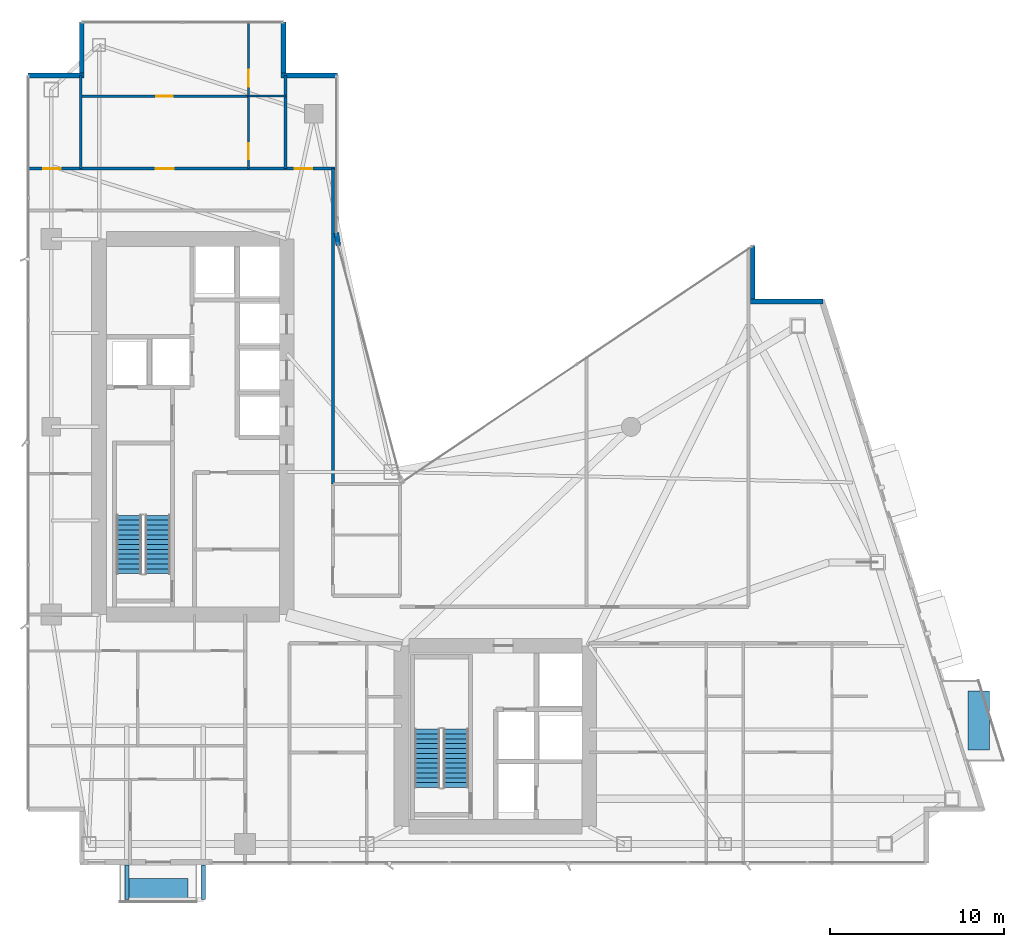
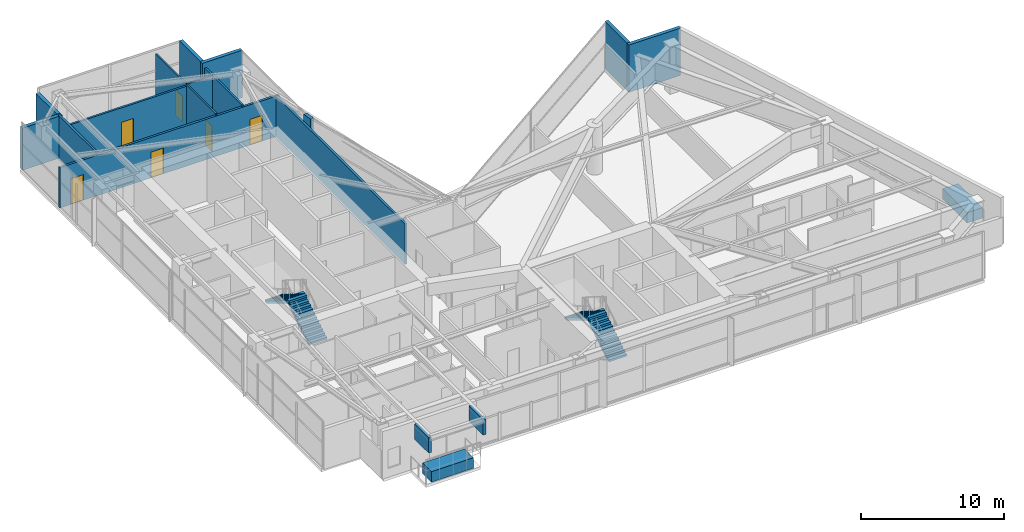
# One storey, part 27 of 30: 14 walls, 6 doors, 4 discrete accessories, 4 stair flights, 6 openings, 2 elements without a shape of their own.
"""IFC4 building model written with IfcOpenShell, lengths in metres."""

from ifc_helpers import new_model, si_unit, direction, frame, frame_2d, origin, origin_2d, place, context, subcontext, project, spatial, polyline, rectangle, outline, extrude, material, layer, layer_set, type_object, element, fill, aggregate, save


model = new_model("IFC4")

# Units and contexts
model_context = context("Model", 3, precision=1e-05, world=origin(), true_north=direction((0.0, 1.0)))
body_context = subcontext(model_context, "Body", "Model", "MODEL_VIEW")
ifc_project = project(units=[si_unit("LENGTHUNIT", "METRE"), si_unit("AREAUNIT", "SQUARE_METRE"), si_unit("VOLUMEUNIT", "CUBIC_METRE"), si_unit("PLANEANGLEUNIT", "RADIAN"), si_unit("MASSUNIT", "GRAM", prefix="KILO")], contexts=[model_context])

# Site, building, storey
site_placement = place(None, origin())
site = spatial("IfcSite", under=ifc_project, at=site_placement, CompositionType="ELEMENT")
building_placement = place(site_placement, origin())
building = spatial("IfcBuilding", under=site, at=building_placement, Name="Calvorn Quay Hotel", CompositionType="ELEMENT")
storey_placement = place(building_placement, frame((0.0, 0.0, 195.10009765625)))
storey = spatial("IfcBuildingStorey", under=building, at=storey_placement, Name="L48", CompositionType="ELEMENT", Elevation=195.10009765625)

# Wall, openings, doors
ifc_material_1 = material(Name="Acoustic Fireboard Steel-Stud Partition", Category="steel")
ifc_layer_1 = layer(ifc_material_1, 0.179931640625)
ifc_layer_set_1 = layer_set([ifc_layer_1], Name="WL-CORR-FIRE-180")
wall_type_1 = type_object("IfcWallType", Name="WL-CORR-FIRE-180", PredefinedType="PARTITIONING", material=ifc_layer_set_1)
wall_1_placement = place(storey_placement, frame((0.080078125, 42.449951171875, 0.0), z_axis=(0.0, 0.0, 1.0), x_axis=(1.0, 0.0, 0.0)))
wall_1 = element("IfcWall", 1, at=wall_1_placement, inside=storey, type_object=wall_type_1, Name="Partition Wall L48-WL-CORR-NW-N", PredefinedType="PARTITIONING", context=body_context, shape_type="SweptSolid", body=[
    extrude(rectangle(XDim=17.77001953125, YDim=0.179931640625, at=frame_2d((8.885009765625, 0.0))), origin(), (0.0, 0.0, 1.0), 3.449951171875),
])
opening_1_placement = place(wall_1_placement, frame((0.89990234375, 0.0, 0.0)))
opening_1 = element("IfcOpeningElement", 2, at=opening_1_placement, cuts=wall_1, Name="Opening D-L48-NWW", PredefinedType="OPENING", context=body_context, shape_type="SweptSolid", body=[
    extrude(rectangle(XDim=1.02001953125, YDim=2.199951171875, at=frame_2d((0.510009765625, 1.10009765625))), frame((0.0, 0.099853515625, 0.0), z_axis=(0.0, -1.0, 0.0), x_axis=(1.0, 0.0, 0.0)), (0.0, 0.0, 1.0), 0.199951171875),
])
opening_2_placement = place(wall_1_placement, frame((7.3798828125, 0.0, 0.0)))
opening_2 = element("IfcOpeningElement", 3, at=opening_2_placement, cuts=wall_1, Name="Opening D-L48-U04", PredefinedType="OPENING", context=body_context, shape_type="SweptSolid", body=[
    extrude(rectangle(XDim=1.02001953125, YDim=2.199951171875, at=frame_2d((0.510009765625, 1.10009765625))), frame((0.0, 0.099853515625, 0.0), z_axis=(0.0, -1.0, 0.0), x_axis=(1.0, 0.0, 0.0)), (0.0, 0.0, 1.0), 0.199951171875),
])
opening_3_placement = place(wall_1_placement, frame((15.3701171875, 0.0, 0.0)))
opening_3 = element("IfcOpeningElement", 4, at=opening_3_placement, cuts=wall_1, Name="Opening D-L48-NWE", PredefinedType="OPENING", context=body_context, shape_type="SweptSolid", body=[
    extrude(rectangle(XDim=1.02001953125, YDim=2.199951171875, at=frame_2d((0.510009765625, 1.10009765625))), frame((0.0, 0.099853515625, 0.0), z_axis=(0.0, -1.0, 0.0), x_axis=(1.0, 0.0, 0.0)), (0.0, 0.0, 1.0), 0.199951171875),
])
ifc_material_2 = material(Name="Solid-Core Walnut Veneer Hotel Fire Door")
door_type_1 = type_object("IfcDoorType", Name="DR-GUEST-ENTRY-1020", OperationType="NOTDEFINED", PredefinedType="DOOR", material=ifc_material_2)
door_1_placement = place(opening_1_placement, origin())
door_1 = element("IfcDoor", 5, at=door_1_placement, inside=storey, type_object=door_type_1, Name="West Corner Study Door (L48)", OperationType="SINGLE_SWING_LEFT", OverallHeight=2.199951171875, OverallWidth=1.02001953125, PredefinedType="DOOR", context=body_context, shape_type="SweptSolid", body=[
    extrude(rectangle(XDim=1.02001953125, YDim=2.199951171875, at=frame_2d((0.510009765625, 1.10009765625))), frame((0.0, 0.02490234375, 0.0), z_axis=(0.0, -1.0, 0.0), x_axis=(1.0, 0.0, 0.0)), (0.0, 0.0, 1.0), 0.050048828125),
])
fill(opening_1, door_1)
door_2_placement = place(opening_2_placement, origin())
door_2 = element("IfcDoor", 6, at=door_2_placement, inside=storey, type_object=door_type_1, Name="North-West Unit Door U04 (L48)", OperationType="SINGLE_SWING_RIGHT", OverallHeight=2.199951171875, OverallWidth=1.02001953125, PredefinedType="DOOR", context=body_context, shape_type="SweptSolid", body=[
    extrude(rectangle(XDim=1.02001953125, YDim=2.199951171875, at=frame_2d((0.510009765625, 1.10009765625))), frame((0.0, 0.02490234375, 0.0), z_axis=(0.0, -1.0, 0.0), x_axis=(1.0, 0.0, 0.0)), (0.0, 0.0, 1.0), 0.050048828125),
])
fill(opening_2, door_2)
door_3_placement = place(opening_3_placement, origin())
door_3 = element("IfcDoor", 7, at=door_3_placement, inside=storey, type_object=door_type_1, Name="Inner Court Study Door (L48)", OperationType="SINGLE_SWING_RIGHT", OverallHeight=2.199951171875, OverallWidth=1.02001953125, PredefinedType="DOOR", context=body_context, shape_type="SweptSolid", body=[
    extrude(rectangle(XDim=1.02001953125, YDim=2.199951171875, at=frame_2d((0.510009765625, 1.10009765625))), frame((0.0, 0.02490234375, 0.0), z_axis=(0.0, -1.0, 0.0), x_axis=(1.0, 0.0, 0.0)), (0.0, 0.0, 1.0), 0.050048828125),
])
fill(opening_3, door_3)

# Walls
wall_2_placement = place(storey_placement, frame((17.64990234375, 24.300048828125, 0.0), z_axis=(0.0, 0.0, 1.0), x_axis=(0.0, 1.0, 0.0)))
element("IfcWall", 8, at=wall_2_placement, inside=storey, type_object=wall_type_1, Name="Partition Wall L48-WL-NW-CLOSURE-E", PredefinedType="PARTITIONING", context=body_context, shape_type="SweptSolid", body=[
    extrude(rectangle(XDim=18.14990234375, YDim=0.179931640625, at=frame_2d((9.074951171875, 0.0))), origin(), (0.0, 0.0, 1.0), 3.449951171875),
])
ifc_material_3 = material(Name="Moisture-Resistant Tile-Backed Partition")
ifc_layer_2 = layer(ifc_material_3, 0.125)
ifc_layer_set_2 = layer_set([ifc_layer_2], Name="WL-ENSUITE-125")
wall_type_2 = type_object("IfcWallType", Name="WL-ENSUITE-125", PredefinedType="PARTITIONING", material=ifc_layer_set_2)
wall_3_placement = place(storey_placement, frame((12.7900390625, 46.6201171875, 0.0), z_axis=(0.0, 0.0, 1.0), x_axis=(1.0, 0.0, 0.0)))
element("IfcWall", 9, at=wall_3_placement, inside=storey, type_object=wall_type_2, Name="Partition Wall L48-WL-U04-BDV", PredefinedType="PARTITIONING", context=body_context, shape_type="SweptSolid", body=[
    extrude(rectangle(XDim=2.1298828125, YDim=0.125, at=frame_2d((1.06494140625, 0.0))), origin(), (0.0, 0.0, 1.0), 3.599853515625),
])

# Wall, openings, doors
wall_4_placement = place(storey_placement, frame((12.7900390625, 42.449951171875, 0.0), z_axis=(0.0, 0.0, 1.0), x_axis=(0.0, 1.0, 0.0)))
wall_4 = element("IfcWall", 10, at=wall_4_placement, inside=storey, type_object=wall_type_2, Name="Partition Wall L48-WL-U04-BV", PredefinedType="PARTITIONING", context=body_context, shape_type="SweptSolid", body=[
    extrude(rectangle(XDim=8.489990234375, YDim=0.125, at=frame_2d((4.2451171875, 0.0))), origin(), (0.0, 0.0, 1.0), 3.599853515625),
])
opening_4_placement = place(wall_4_placement, frame((0.550048828125, 0.0, 0.0)))
opening_4 = element("IfcOpeningElement", 11, at=opening_4_placement, cuts=wall_4, Name="Opening D-L48-E04", PredefinedType="OPENING", context=body_context, shape_type="SweptSolid", body=[
    extrude(rectangle(XDim=0.89990234375, YDim=2.14990234375, at=frame_2d((0.449951171875, 1.074951171875))), frame((0.0, 0.072509765625, 0.0), z_axis=(0.0, -1.0, 0.0), x_axis=(1.0, 0.0, 0.0)), (0.0, 0.0, 1.0), 0.14501953125),
])
opening_5_placement = place(wall_4_placement, frame((4.719970703125, 0.0, 0.0)))
opening_5 = element("IfcOpeningElement", 12, at=opening_5_placement, cuts=wall_4, Name="Opening D-L48-S04", PredefinedType="OPENING", context=body_context, shape_type="SweptSolid", body=[
    extrude(rectangle(XDim=0.9599609375, YDim=2.199951171875, at=frame_2d((0.47998046875, 1.10009765625))), frame((0.0, 0.072509765625, 0.0), z_axis=(0.0, -1.0, 0.0), x_axis=(1.0, 0.0, 0.0)), (0.0, 0.0, 1.0), 0.14501953125),
])
ifc_material_4 = material(Name="Moisture-Sealed Timber En-Suite Door", Category="wood")
door_type_2 = type_object("IfcDoorType", Name="DR-ENSUITE-900", OperationType="NOTDEFINED", PredefinedType="DOOR", material=ifc_material_4)
door_4_placement = place(opening_4_placement, origin())
door_4 = element("IfcDoor", 13, at=door_4_placement, inside=storey, type_object=door_type_2, Name="En-Suite Door 04", OperationType="SINGLE_SWING_LEFT", OverallHeight=2.14990234375, OverallWidth=0.89990234375, PredefinedType="DOOR", context=body_context, shape_type="SweptSolid", body=[
    extrude(rectangle(XDim=0.89990234375, YDim=2.14990234375, at=frame_2d((0.449951171875, 1.074951171875))), frame((0.0, 0.02490234375, 0.0), z_axis=(0.0, -1.0, 0.0), x_axis=(1.0, 0.0, 0.0)), (0.0, 0.0, 1.0), 0.050048828125),
])
fill(opening_4, door_4)
ifc_material_5 = material(Name="Solid Timber Internal Suite Door", Category="wood")
door_type_3 = type_object("IfcDoorType", Name="DR-SUITE-INT-960", OperationType="NOTDEFINED", PredefinedType="DOOR", material=ifc_material_5)
door_5_placement = place(opening_5_placement, origin())
door_5 = element("IfcDoor", 14, at=door_5_placement, inside=storey, type_object=door_type_3, Name="Harbour Dining Den Door 04", OperationType="SINGLE_SWING_RIGHT", OverallHeight=2.199951171875, OverallWidth=0.9599609375, PredefinedType="DOOR", context=body_context, shape_type="SweptSolid", body=[
    extrude(rectangle(XDim=0.9599609375, YDim=2.199951171875, at=frame_2d((0.47998046875, 1.10009765625))), frame((0.0, 0.02490234375, 0.0), z_axis=(0.0, -1.0, 0.0), x_axis=(1.0, 0.0, 0.0)), (0.0, 0.0, 1.0), 0.050048828125),
])
fill(opening_5, door_5)

# Walls
ifc_material_6 = material(Name="Concrete C40", Category="concrete")
ifc_layer_3 = layer(ifc_material_6, 0.320068359375)
ifc_layer_set_3 = layer_set([ifc_layer_3], Name="WL-EXT-SPANDREL-320")
wall_type_3 = type_object("IfcWallType", Name="WL-EXT-SPANDREL-320", PredefinedType="SOLIDWALL", material=ifc_layer_set_3)
wall_5_placement = place(storey_placement, frame((17.9619140625, 38.030029296875, 0.0), z_axis=(0.0, 0.0, 1.0), x_axis=(-0.15141125477, 0.988470855377, 0.0)))
element("IfcWall", 15, at=wall_5_placement, inside=storey, type_object=wall_type_3, Name="Inner Court Corner Pier L48-ICJ2", PredefinedType="SOLIDWALL", context=body_context, shape_type="SweptSolid", body=[
    extrude(rectangle(XDim=0.738525390625, YDim=0.280029296875, at=frame_2d((0.369140625, 0.0))), origin(), (0.0, 0.0, 1.0), 4.0498046875),
])
wall_6_placement = place(storey_placement, frame((45.840087890625, 34.800048828125, 0.0), z_axis=(0.0, 0.0, 1.0), x_axis=(-1.0, 0.0, 0.0)))
element("IfcWall", 16, at=wall_6_placement, inside=storey, type_object=wall_type_3, Name="Notched Corner Spandrel L48-NE1", PredefinedType="SOLIDWALL", context=body_context, shape_type="SweptSolid", body=[
    extrude(rectangle(XDim=4.18017578125, YDim=0.280029296875, at=frame_2d((2.090087890625, 0.0))), origin(), (0.0, 0.0, 1.0), 4.0498046875),
])
wall_7_placement = place(storey_placement, frame((41.800048828125, 34.93994140625, 0.0), z_axis=(0.0, 0.0, 1.0), x_axis=(0.0, 1.0, 0.0)))
element("IfcWall", 17, at=wall_7_placement, inside=storey, type_object=wall_type_3, Name="Notched Corner Spandrel L48-NE2", PredefinedType="SOLIDWALL", context=body_context, shape_type="SweptSolid", body=[
    extrude(rectangle(XDim=3.10009765625, YDim=0.280029296875, at=frame_2d((1.550048828125, 0.0))), origin(), (0.0, 0.0, 1.0), 4.0498046875),
])
wall_8_placement = place(storey_placement, frame((17.89990234375, 47.800048828125, 0.0), z_axis=(0.0, 0.0, 1.0), x_axis=(-1.0, 0.0, 0.0)))
element("IfcWall", 18, at=wall_8_placement, inside=storey, type_object=wall_type_3, Name="Notched Corner Spandrel L48-NWE1", PredefinedType="SOLIDWALL", context=body_context, shape_type="SweptSolid", body=[
    extrude(rectangle(XDim=3.239990234375, YDim=0.280029296875, at=frame_2d((1.6201171875, 0.0))), origin(), (0.0, 0.0, 1.0), 4.0498046875),
])
wall_9_placement = place(storey_placement, frame((14.800048828125, 47.93994140625, 0.0), z_axis=(0.0, 0.0, 1.0), x_axis=(0.0, 1.0, 0.0)))
element("IfcWall", 19, at=wall_9_placement, inside=storey, type_object=wall_type_3, Name="Notched Corner Spandrel L48-NWE2", PredefinedType="SOLIDWALL", context=body_context, shape_type="SweptSolid", body=[
    extrude(rectangle(XDim=2.93994140625, YDim=0.280029296875, at=frame_2d((1.469970703125, 0.0))), origin(), (0.0, 0.0, 1.0), 4.0498046875),
])
wall_10_placement = place(storey_placement, frame((3.199951171875, 50.8798828125, 0.0), z_axis=(0.0, 0.0, 1.0), x_axis=(0.0, -1.0, 0.0)))
element("IfcWall", 20, at=wall_10_placement, inside=storey, type_object=wall_type_3, Name="Notched Corner Spandrel L48-NW1", PredefinedType="SOLIDWALL", context=body_context, shape_type="SweptSolid", body=[
    extrude(rectangle(XDim=2.93994140625, YDim=0.280029296875, at=frame_2d((1.469970703125, 0.0))), origin(), (0.0, 0.0, 1.0), 3.599853515625),
])
wall_11_placement = place(storey_placement, frame((3.340087890625, 47.800048828125, 0.0), z_axis=(0.0, 0.0, 1.0), x_axis=(-1.0, 0.0, 0.0)))
element("IfcWall", 21, at=wall_11_placement, inside=storey, type_object=wall_type_3, Name="Notched Corner Spandrel L48-NW2", PredefinedType="SOLIDWALL", context=body_context, shape_type="SweptSolid", body=[
    extrude(rectangle(XDim=3.219970703125, YDim=0.280029296875, at=frame_2d((1.60986328125, 0.0))), origin(), (0.0, 0.0, 1.0), 3.599853515625),
])
ifc_material_7 = material(Name="Double-Stud Acoustic Gypsum Partition")
ifc_layer_4 = layer(ifc_material_7, 0.159912109375)
ifc_layer_set_4 = layer_set([ifc_layer_4], Name="WL-INTERSUITE-160")
wall_type_4 = type_object("IfcWallType", Name="WL-INTERSUITE-160", PredefinedType="PARTITIONING", material=ifc_layer_set_4)
wall_12_placement = place(storey_placement, frame((3.14990234375, 42.449951171875, 0.0), z_axis=(0.0, 0.0, 1.0), x_axis=(0.0, 1.0, 0.0)))
element("IfcWall", 22, at=wall_12_placement, inside=storey, type_object=wall_type_4, Name="Partition Wall L48-WL-NW-DIV-W0", PredefinedType="PARTITIONING", context=body_context, shape_type="SweptSolid", body=[
    extrude(rectangle(XDim=5.35009765625, YDim=0.159912109375, at=frame_2d((2.675048828125, 0.0))), origin(), (0.0, 0.0, 1.0), 3.64990234375),
])
wall_13_placement = place(storey_placement, frame((14.919921875, 42.449951171875, 0.0), z_axis=(0.0, 0.0, 1.0), x_axis=(0.0, 1.0, 0.0)))
element("IfcWall", 23, at=wall_13_placement, inside=storey, type_object=wall_type_4, Name="Partition Wall L48-WL-NW-DIV-E0", PredefinedType="PARTITIONING", context=body_context, shape_type="SweptSolid", body=[
    extrude(rectangle(XDim=5.35009765625, YDim=0.159912109375, at=frame_2d((2.675048828125, 0.0))), origin(), (0.0, 0.0, 1.0), 3.599853515625),
])

# Wall, opening, door
wall_14_placement = place(storey_placement, frame((3.14990234375, 46.6201171875, 0.0), z_axis=(0.0, 0.0, 1.0), x_axis=(1.0, 0.0, 0.0)))
wall_14 = element("IfcWall", 24, at=wall_14_placement, inside=storey, type_object=wall_type_4, Name="Partition Wall L48-WL-U04-MSP", PredefinedType="PARTITIONING", context=body_context, shape_type="SweptSolid", body=[
    extrude(rectangle(XDim=9.64013671875, YDim=0.159912109375, at=frame_2d((4.820068359375, 0.0))), origin(), (0.0, 0.0, 1.0), 3.449951171875),
])
opening_6_placement = place(wall_14_placement, frame((4.340087890625, 0.0, 0.0)))
opening_6 = element("IfcOpeningElement", 25, at=opening_6_placement, cuts=wall_14, Name="Opening D-L48-M04", PredefinedType="OPENING", context=body_context, shape_type="SweptSolid", body=[
    extrude(rectangle(XDim=0.9599609375, YDim=2.199951171875, at=frame_2d((0.47998046875, 1.10009765625))), frame((0.0, 0.08984375, 0.0), z_axis=(0.0, -1.0, 0.0), x_axis=(1.0, 0.0, 0.0)), (0.0, 0.0, 1.0), 0.179931640625),
])
door_6_placement = place(opening_6_placement, origin())
door_6 = element("IfcDoor", 26, at=door_6_placement, inside=storey, type_object=door_type_3, Name="Suite Bedroom Door 04", OperationType="SINGLE_SWING_LEFT", OverallHeight=2.199951171875, OverallWidth=0.9599609375, PredefinedType="DOOR", context=body_context, shape_type="SweptSolid", body=[
    extrude(rectangle(XDim=0.9599609375, YDim=2.199951171875, at=frame_2d((0.47998046875, 1.10009765625))), frame((0.0, 0.02490234375, 0.0), z_axis=(0.0, -1.0, 0.0), x_axis=(1.0, 0.0, 0.0)), (0.0, 0.0, 1.0), 0.050048828125),
])
fill(opening_6, door_6)

# Stair, stair flights
ifc_material_8 = material(Name="Concrete C40", Category="concrete")
stair_type = type_object("IfcStairType", Name="STR-CORE-DOGLEG", PredefinedType="HALF_TURN_STAIR", material=ifc_material_8)
stair_1_placement = place(storey_placement, origin())
stair_1 = element("IfcStair", 27, at=stair_1_placement, inside=storey, type_object=stair_type, Name="L48 ST-W", PredefinedType="HALF_TURN_STAIR")
ifc_material_9 = material(Name="Concrete C40", Category="concrete")
stair_flight_type = type_object("IfcStairFlightType", Name="FLT-CORE-1550", PredefinedType="STRAIGHT", material=ifc_material_9)
stair_flight_1_placement = place(storey_placement, frame((7.574951171875, 19.14990234375, 0.0), z_axis=(0.0, 0.0, 1.0), x_axis=(0.0, 1.0, 0.0)))
stair_flight_1 = element("IfcStairFlight", 28, at=stair_flight_1_placement, type_object=stair_flight_type, Name="ST-W flight 1", NumberOfRisers=13, NumberOfTreads=12, PredefinedType="STRAIGHT", RiserHeight=0.173076923, TreadLength=0.28, context=body_context, shape_type="SweptSolid", body=[
    extrude(outline(polyline([(0.0, 0.0), (0.0, 0.173095703125), (0.280029296875, 0.173095703125), (0.280029296875, 0.34619140625), (0.56005859375, 0.34619140625), (0.56005859375, 0.519287109375), (0.840087890625, 0.519287109375), (0.840087890625, 0.6923828125), (1.1201171875, 0.6923828125), (1.1201171875, 0.865478515625), (1.39990234375, 0.865478515625), (1.39990234375, 1.03857421875), (1.679931640625, 1.03857421875), (1.679931640625, 1.21142578125), (1.9599609375, 1.21142578125), (1.9599609375, 1.384521484375), (2.239990234375, 1.384521484375), (2.239990234375, 1.5576171875), (2.52001953125, 1.5576171875), (2.52001953125, 1.730712890625), (2.800048828125, 1.730712890625), (2.800048828125, 1.90380859375), (3.080078125, 1.90380859375), (3.080078125, 2.076904296875), (3.360107421875, 2.076904296875), (3.360107421875, 2.25), (3.360107421875, 1.900634765625), (0.28515625, 0.0), (0.0, 0.0)])), frame((0.0, 0.72509765625, 0.0), z_axis=(0.0, -1.0, 0.0), x_axis=(1.0, 0.0, 0.0)), (0.0, 0.0, 1.0), 1.449951171875),
])
stair_flight_2_placement = place(storey_placement, frame((5.925048828125, 22.510009765625, 2.25), z_axis=(0.0, 0.0, 1.0), x_axis=(0.0, -1.0, 0.0)))
stair_flight_2 = element("IfcStairFlight", 29, at=stair_flight_2_placement, type_object=stair_flight_type, Name="ST-W flight 2", NumberOfRisers=13, NumberOfTreads=12, PredefinedType="STRAIGHT", RiserHeight=0.173076923, TreadLength=0.28, context=body_context, shape_type="SweptSolid", body=[
    extrude(outline(polyline([(0.0, 0.0), (0.0, 0.173095703125), (0.280029296875, 0.173095703125), (0.280029296875, 0.34619140625), (0.56005859375, 0.34619140625), (0.56005859375, 0.519287109375), (0.840087890625, 0.519287109375), (0.840087890625, 0.6923828125), (1.1201171875, 0.6923828125), (1.1201171875, 0.865478515625), (1.39990234375, 0.865478515625), (1.39990234375, 1.03857421875), (1.679931640625, 1.03857421875), (1.679931640625, 1.21142578125), (1.9599609375, 1.21142578125), (1.9599609375, 1.384521484375), (2.239990234375, 1.384521484375), (2.239990234375, 1.5576171875), (2.52001953125, 1.5576171875), (2.52001953125, 1.730712890625), (2.800048828125, 1.730712890625), (2.800048828125, 1.90380859375), (3.080078125, 1.90380859375), (3.080078125, 2.076904296875), (3.360107421875, 2.076904296875), (3.360107421875, 2.25), (3.360107421875, 1.900634765625), (0.28515625, 0.0), (0.0, 0.0)])), frame((0.0, 0.72509765625, 0.0), z_axis=(0.0, -1.0, 0.0), x_axis=(1.0, 0.0, 0.0)), (0.0, 0.0, 1.0), 1.449951171875),
])
aggregate(stair_1, [stair_flight_1, stair_flight_2])

stair_2_placement = place(storey_placement, origin())
stair_2 = element("IfcStair", 30, at=stair_2_placement, inside=storey, type_object=stair_type, Name="L48 ST-E", PredefinedType="HALF_TURN_STAIR")
stair_flight_3_placement = place(storey_placement, frame((24.72509765625, 6.85009765625, 0.0), z_axis=(0.0, 0.0, 1.0), x_axis=(0.0, 1.0, 0.0)))
stair_flight_3 = element("IfcStairFlight", 31, at=stair_flight_3_placement, type_object=stair_flight_type, Name="ST-E flight 1", NumberOfRisers=13, NumberOfTreads=12, PredefinedType="STRAIGHT", RiserHeight=0.173076923, TreadLength=0.28, context=body_context, shape_type="SweptSolid", body=[
    extrude(outline(polyline([(0.0, 0.0), (0.0, 0.173095703125), (0.280029296875, 0.173095703125), (0.280029296875, 0.34619140625), (0.56005859375, 0.34619140625), (0.56005859375, 0.519287109375), (0.840087890625, 0.519287109375), (0.840087890625, 0.6923828125), (1.1201171875, 0.6923828125), (1.1201171875, 0.865478515625), (1.39990234375, 0.865478515625), (1.39990234375, 1.03857421875), (1.679931640625, 1.03857421875), (1.679931640625, 1.21142578125), (1.9599609375, 1.21142578125), (1.9599609375, 1.384521484375), (2.239990234375, 1.384521484375), (2.239990234375, 1.5576171875), (2.52001953125, 1.5576171875), (2.52001953125, 1.730712890625), (2.800048828125, 1.730712890625), (2.800048828125, 1.90380859375), (3.080078125, 1.90380859375), (3.080078125, 2.076904296875), (3.360107421875, 2.076904296875), (3.360107421875, 2.25), (3.360107421875, 1.900634765625), (0.28515625, 0.0), (0.0, 0.0)])), frame((0.0, 0.72509765625, 0.0), z_axis=(0.0, -1.0, 0.0), x_axis=(1.0, 0.0, 0.0)), (0.0, 0.0, 1.0), 1.449951171875),
])
stair_flight_4_placement = place(storey_placement, frame((23.074951171875, 10.2099609375, 2.25), z_axis=(0.0, 0.0, 1.0), x_axis=(0.0, -1.0, 0.0)))
stair_flight_4 = element("IfcStairFlight", 32, at=stair_flight_4_placement, type_object=stair_flight_type, Name="ST-E flight 2", NumberOfRisers=13, NumberOfTreads=12, PredefinedType="STRAIGHT", RiserHeight=0.173076923, TreadLength=0.28, context=body_context, shape_type="SweptSolid", body=[
    extrude(outline(polyline([(0.0, 0.0), (0.0, 0.173095703125), (0.280029296875, 0.173095703125), (0.280029296875, 0.34619140625), (0.56005859375, 0.34619140625), (0.56005859375, 0.519287109375), (0.840087890625, 0.519287109375), (0.840087890625, 0.6923828125), (1.1201171875, 0.6923828125), (1.1201171875, 0.865478515625), (1.39990234375, 0.865478515625), (1.39990234375, 1.03857421875), (1.679931640625, 1.03857421875), (1.679931640625, 1.21142578125), (1.9599609375, 1.21142578125), (1.9599609375, 1.384521484375), (2.239990234375, 1.384521484375), (2.239990234375, 1.5576171875), (2.52001953125, 1.5576171875), (2.52001953125, 1.730712890625), (2.800048828125, 1.730712890625), (2.800048828125, 1.90380859375), (3.080078125, 1.90380859375), (3.080078125, 2.076904296875), (3.360107421875, 2.076904296875), (3.360107421875, 2.25), (3.360107421875, 1.900634765625), (0.28515625, 0.0), (0.0, 0.0)])), frame((0.0, 0.72509765625, 0.0), z_axis=(0.0, -1.0, 0.0), x_axis=(1.0, 0.0, 0.0)), (0.0, 0.0, 1.0), 1.449951171875),
])
aggregate(stair_2, [stair_flight_3, stair_flight_4])

# Discrete accessories
ifc_material_10 = material(Name="Steel Q355B", Category="steel")
discrete_accessory_type_1 = type_object("IfcDiscreteAccessoryType", Name="ACC-BALC-STRUT", PredefinedType="BRACKET", material=ifc_material_10)
for number, where, z_axis, x_axis, name in (
    (33, (5.800048828125, 1.405029296875, 2.52490234375), (0.0, 0.0, 1.0), (1.0, 0.0, 0.0), "Exterior Balcony Steel Bracket L49-BALC-S-A"),
    (34, (10.199951171875, 1.405029296875, 2.52490234375), (0.0, 0.0, 1.0), (1.0, 0.0, 0.0), "Exterior Balcony Steel Bracket L49-BALC-S-B"),
):
    element("IfcDiscreteAccessory", number, at=place(storey_placement, frame(where, z_axis=z_axis, x_axis=x_axis)), inside=storey, type_object=discrete_accessory_type_1, Name=name, PredefinedType="BRACKET", context=body_context, shape_type="SweptSolid", body=[
        extrude(rectangle(XDim=0.219970703125, YDim=1.989990234375, at=origin_2d()), origin(), (0.0, 0.0, 1.0), 1.300048828125),
    ])
ifc_material_11 = material(Name="Precast concrete C40", Category="concrete")
discrete_accessory_type_2 = type_object("IfcDiscreteAccessoryType", Name="ACC-TREE-PLANTER", PredefinedType="USERDEFINED", material=ifc_material_11)
discrete_accessory_1_placement = place(storey_placement, frame((54.802978515625, 10.699951171875, 0.0), z_axis=(0.0, 0.0, 1.0), x_axis=(1.0, 0.0, 0.0)))
element("IfcDiscreteAccessory", 35, at=discrete_accessory_1_placement, inside=storey, type_object=discrete_accessory_type_2, Name="Subtropical Tree Structural Planter L48-BALC-E", ObjectType="PLANTER", PredefinedType="USERDEFINED", context=body_context, shape_type="SweptSolid", body=[
    extrude(rectangle(XDim=1.25, YDim=3.39990234375, at=origin_2d()), origin(), (0.0, 0.0, 1.0), 0.89990234375),
])
discrete_accessory_2_placement = place(storey_placement, frame((7.60009765625, 0.989990234375, 0.0), z_axis=(0.0, 0.0, 1.0), x_axis=(1.0, 0.0, 0.0)))
element("IfcDiscreteAccessory", 36, at=discrete_accessory_2_placement, inside=storey, type_object=discrete_accessory_type_2, Name="Subtropical Tree Structural Planter L48-BALC-S", ObjectType="PLANTER", PredefinedType="USERDEFINED", context=body_context, shape_type="SweptSolid", body=[
    extrude(rectangle(XDim=3.39990234375, YDim=1.25, at=origin_2d()), origin(), (0.0, 0.0, 1.0), 0.89990234375),
])

save(model, "model.ifc")
